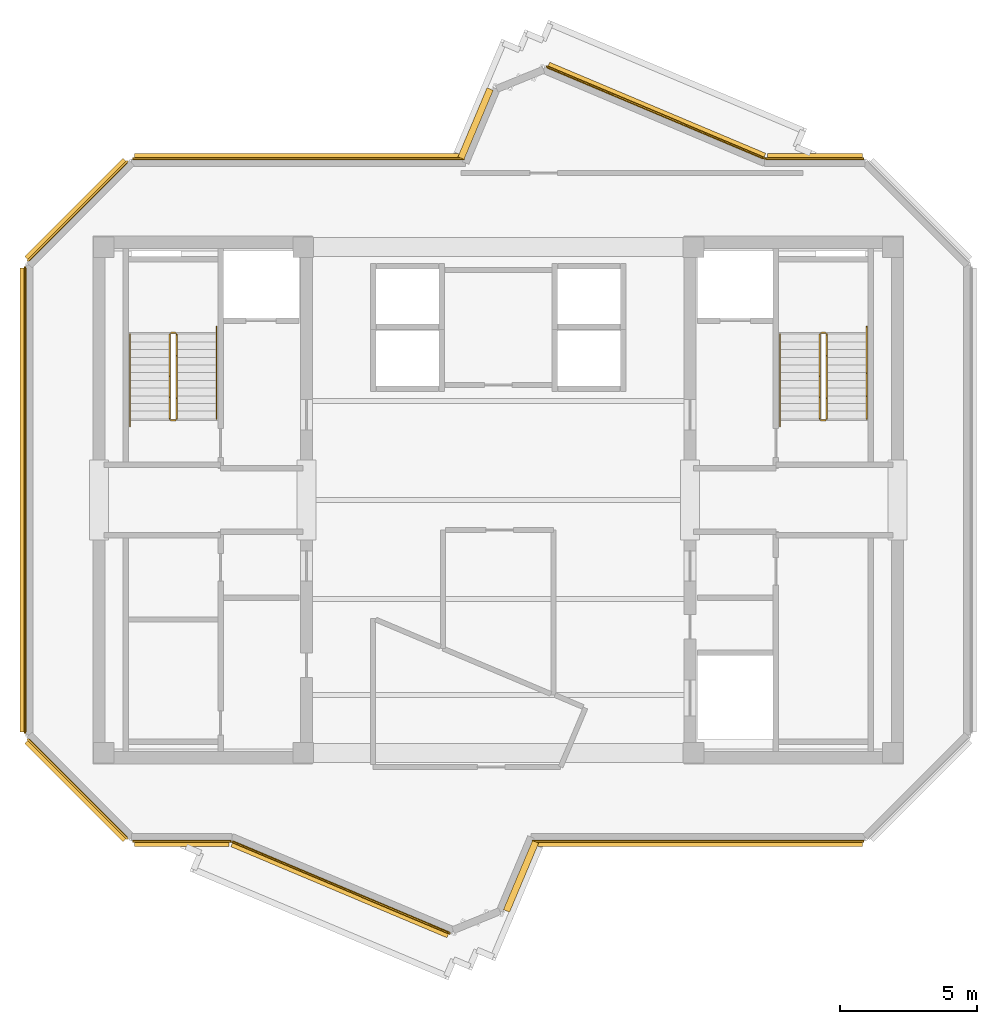
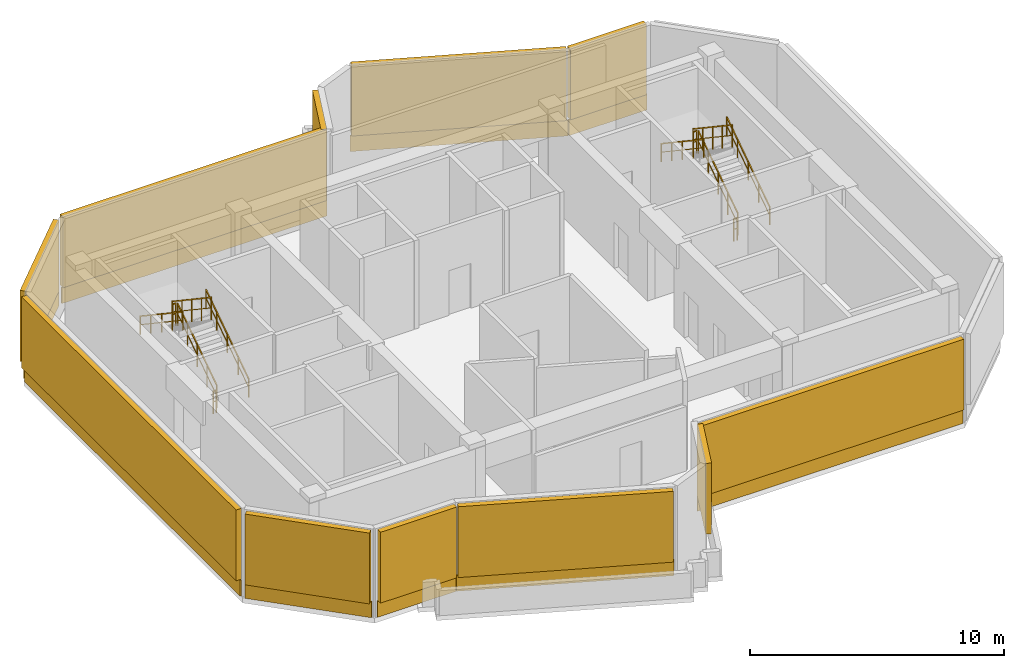
# One storey, part 5 of 6: 12 railings, 11 shading devices, 9 coverings.
"""IFC4 building model written with IfcOpenShell, lengths in metres."""

from ifc_helpers import new_model, si_unit, direction, frame, origin, origin_2d, place, context, subcontext, project, spatial, rectangle, extrude, source, transform, mapped, material, layer, layer_set, type_object, element, save


model = new_model("IFC4")

# Units and contexts
model_context = context("Model", 3, precision=1e-05, world=origin(), true_north=direction((0.0, 1.0)))
body_context = subcontext(model_context, "Body", "Model", "MODEL_VIEW")
ifc_project = project(units=[si_unit("LENGTHUNIT", "METRE"), si_unit("AREAUNIT", "SQUARE_METRE"), si_unit("VOLUMEUNIT", "CUBIC_METRE"), si_unit("PLANEANGLEUNIT", "RADIAN"), si_unit("MASSUNIT", "GRAM", prefix="KILO")], contexts=[model_context])

# Site, building, storey
site_placement = place(None, origin())
site = spatial("IfcSite", under=ifc_project, at=site_placement, CompositionType="ELEMENT")
building_placement = place(site_placement, origin())
building = spatial("IfcBuilding", under=site, at=building_placement, Name="Zahravan Cultural Tower", CompositionType="ELEMENT")
storey_placement = place(building_placement, frame((0.0, 0.0, 370.64990234375)))
storey = spatial("IfcBuildingStorey", under=building, at=storey_placement, Name="L90", CompositionType="ELEMENT", Elevation=370.64990234375)

# Railings
ifc_material_1 = material(Name="Steel ASTM A572 Grade 50", Category="steel")
railing_type_1 = type_object("IfcRailingType", Name="RL-STAIR-GRD1150", PredefinedType="BALUSTRADE", material=ifc_material_1)
railing_1_placement = place(storey_placement, frame((24.300048828125, 29.949951171875, 0.1875)))
element("IfcRailing", 1, at=railing_1_placement, inside=storey, type_object=railing_type_1, Name="L90 ST-W1 stair guard 1", PredefinedType="BALUSTRADE", context=body_context, shape_type="SweptSolid", body=[
    extrude(rectangle(XDim=0.05, YDim=0.05, at=origin_2d()), frame((0.0, 0.0, 1.0751953125), z_axis=(0.0, 0.830913701846, 0.55640131208), x_axis=(-1.0, 0.0, 0.0)), (0.0, 0.0, 1.0), 3.706787109375),
    extrude(rectangle(XDim=0.032, YDim=0.032, at=origin_2d()), frame((0.0, 0.0, 0.572021484375), z_axis=(0.0, 0.830913701846, 0.55640131208), x_axis=(-1.0, 0.0, 0.0)), (0.0, 0.0, 1.0), 3.706787109375),
    extrude(rectangle(XDim=0.04, YDim=0.04, at=origin_2d()), origin(), (0.0, 0.0, 1.0), 1.10009765625),
    extrude(rectangle(XDim=0.04, YDim=0.04, at=origin_2d()), frame((0.0, 0.77001953125, 0.515625)), (0.0, 0.0, 1.0), 1.10009765625),
    extrude(rectangle(XDim=0.04, YDim=0.04, at=origin_2d()), frame((0.0, 1.5400390625, 1.03125)), (0.0, 0.0, 1.0), 1.10009765625),
    extrude(rectangle(XDim=0.04, YDim=0.04, at=origin_2d()), frame((0.0, 2.31005859375, 1.546875)), (0.0, 0.0, 1.0), 1.10009765625),
    extrude(rectangle(XDim=0.04, YDim=0.04, at=origin_2d()), frame((0.0, 3.080078125, 2.0625)), (0.0, 0.0, 1.0), 1.10009765625),
])
railing_2_placement = place(storey_placement, frame((24.25, 33.080078125, 2.25)))
element("IfcRailing", 2, at=railing_2_placement, inside=storey, type_object=railing_type_1, Name="L90 ST-W1 stair guard 2", PredefinedType="BALUSTRADE", context=body_context, shape_type="SweptSolid", body=[
    extrude(rectangle(XDim=0.05, YDim=0.05, at=origin_2d()), frame((0.0, 0.0, 1.0751953125), z_axis=(-1.0, 0.0, 0.0), x_axis=(0.0, -1.0, 0.0)), (0.0, 0.0, 1.0), 0.14990234375),
    extrude(rectangle(XDim=0.032, YDim=0.032, at=origin_2d()), frame((0.0, 0.0, 0.572021484375), z_axis=(-1.0, 0.0, 0.0), x_axis=(0.0, -1.0, 0.0)), (0.0, 0.0, 1.0), 0.14990234375),
    extrude(rectangle(XDim=0.04, YDim=0.04, at=origin_2d()), origin(), (0.0, 0.0, 1.0), 1.10009765625),
    extrude(rectangle(XDim=0.04, YDim=0.04, at=origin_2d()), frame((-0.14990234375, 0.0, 0.0)), (0.0, 0.0, 1.0), 1.10009765625),
])
railing_3_placement = place(storey_placement, frame((24.050048828125, 33.030029296875, 2.4375)))
element("IfcRailing", 3, at=railing_3_placement, inside=storey, type_object=railing_type_1, Name="L90 ST-W1 stair guard 3", PredefinedType="BALUSTRADE", context=body_context, shape_type="SweptSolid", body=[
    extrude(rectangle(XDim=0.05, YDim=0.05, at=origin_2d()), frame((0.0, 0.0, 1.0751953125), z_axis=(0.0, -0.830913701846, 0.55640131208), x_axis=(1.0, 0.0, 0.0)), (0.0, 0.0, 1.0), 3.706787109375),
    extrude(rectangle(XDim=0.032, YDim=0.032, at=origin_2d()), frame((0.0, 0.0, 0.572021484375), z_axis=(0.0, -0.830913701846, 0.55640131208), x_axis=(1.0, 0.0, 0.0)), (0.0, 0.0, 1.0), 3.706787109375),
    extrude(rectangle(XDim=0.04, YDim=0.04, at=origin_2d()), origin(), (0.0, 0.0, 1.0), 1.10009765625),
    extrude(rectangle(XDim=0.04, YDim=0.04, at=origin_2d()), frame((0.0, -0.77001953125, 0.515625)), (0.0, 0.0, 1.0), 1.10009765625),
    extrude(rectangle(XDim=0.04, YDim=0.04, at=origin_2d()), frame((0.0, -1.5400390625, 1.03125)), (0.0, 0.0, 1.0), 1.10009765625),
    extrude(rectangle(XDim=0.04, YDim=0.04, at=origin_2d()), frame((0.0, -2.31005859375, 1.546875)), (0.0, 0.0, 1.0), 1.10009765625),
    extrude(rectangle(XDim=0.04, YDim=0.04, at=origin_2d()), frame((0.0, -3.080078125, 2.0625)), (0.0, 0.0, 1.0), 1.10009765625),
])
railing_4_placement = place(storey_placement, frame((24.25, 29.89990234375, 0.0)))
element("IfcRailing", 4, at=railing_4_placement, inside=storey, type_object=railing_type_1, Name="L90 ST-W1 stair guard 4", PredefinedType="BALUSTRADE", context=body_context, shape_type="SweptSolid", body=[
    extrude(rectangle(XDim=0.05, YDim=0.05, at=origin_2d()), frame((0.0, 0.0, 1.0751953125), z_axis=(-1.0, 0.0, 0.0), x_axis=(0.0, -1.0, 0.0)), (0.0, 0.0, 1.0), 0.14990234375),
    extrude(rectangle(XDim=0.032, YDim=0.032, at=origin_2d()), frame((0.0, 0.0, 0.572021484375), z_axis=(-1.0, 0.0, 0.0), x_axis=(0.0, -1.0, 0.0)), (0.0, 0.0, 1.0), 0.14990234375),
    extrude(rectangle(XDim=0.04, YDim=0.04, at=origin_2d()), origin(), (0.0, 0.0, 1.0), 1.10009765625),
    extrude(rectangle(XDim=0.04, YDim=0.04, at=origin_2d()), frame((-0.14990234375, 0.0, 0.0)), (0.0, 0.0, 1.0), 1.10009765625),
])
railing_5_placement = place(storey_placement, frame((47.949951171875, 29.949951171875, 0.1875)))
element("IfcRailing", 5, at=railing_5_placement, inside=storey, type_object=railing_type_1, Name="L90 ST-E1 stair guard 1", PredefinedType="BALUSTRADE", context=body_context, shape_type="SweptSolid", body=[
    extrude(rectangle(XDim=0.05, YDim=0.05, at=origin_2d()), frame((0.0, 0.0, 1.0751953125), z_axis=(0.0, 0.830913701846, 0.55640131208), x_axis=(-1.0, 0.0, 0.0)), (0.0, 0.0, 1.0), 3.706787109375),
    extrude(rectangle(XDim=0.032, YDim=0.032, at=origin_2d()), frame((0.0, 0.0, 0.572021484375), z_axis=(0.0, 0.830913701846, 0.55640131208), x_axis=(-1.0, 0.0, 0.0)), (0.0, 0.0, 1.0), 3.706787109375),
    extrude(rectangle(XDim=0.04, YDim=0.04, at=origin_2d()), origin(), (0.0, 0.0, 1.0), 1.10009765625),
    extrude(rectangle(XDim=0.04, YDim=0.04, at=origin_2d()), frame((0.0, 0.77001953125, 0.515625)), (0.0, 0.0, 1.0), 1.10009765625),
    extrude(rectangle(XDim=0.04, YDim=0.04, at=origin_2d()), frame((0.0, 1.5400390625, 1.03125)), (0.0, 0.0, 1.0), 1.10009765625),
    extrude(rectangle(XDim=0.04, YDim=0.04, at=origin_2d()), frame((0.0, 2.31005859375, 1.546875)), (0.0, 0.0, 1.0), 1.10009765625),
    extrude(rectangle(XDim=0.04, YDim=0.04, at=origin_2d()), frame((0.0, 3.080078125, 2.0625)), (0.0, 0.0, 1.0), 1.10009765625),
])
railing_6_placement = place(storey_placement, frame((47.89990234375, 33.080078125, 2.25)))
element("IfcRailing", 6, at=railing_6_placement, inside=storey, type_object=railing_type_1, Name="L90 ST-E1 stair guard 2", PredefinedType="BALUSTRADE", context=body_context, shape_type="SweptSolid", body=[
    extrude(rectangle(XDim=0.05, YDim=0.05, at=origin_2d()), frame((0.0, 0.0, 1.0751953125), z_axis=(-1.0, 0.0, 0.0), x_axis=(0.0, -1.0, 0.0)), (0.0, 0.0, 1.0), 0.14990234375),
    extrude(rectangle(XDim=0.032, YDim=0.032, at=origin_2d()), frame((0.0, 0.0, 0.572021484375), z_axis=(-1.0, 0.0, 0.0), x_axis=(0.0, -1.0, 0.0)), (0.0, 0.0, 1.0), 0.14990234375),
    extrude(rectangle(XDim=0.04, YDim=0.04, at=origin_2d()), origin(), (0.0, 0.0, 1.0), 1.10009765625),
    extrude(rectangle(XDim=0.04, YDim=0.04, at=origin_2d()), frame((-0.14990234375, 0.0, 0.0)), (0.0, 0.0, 1.0), 1.10009765625),
])
railing_7_placement = place(storey_placement, frame((47.699951171875, 33.030029296875, 2.4375)))
element("IfcRailing", 7, at=railing_7_placement, inside=storey, type_object=railing_type_1, Name="L90 ST-E1 stair guard 3", PredefinedType="BALUSTRADE", context=body_context, shape_type="SweptSolid", body=[
    extrude(rectangle(XDim=0.05, YDim=0.05, at=origin_2d()), frame((0.0, 0.0, 1.0751953125), z_axis=(0.0, -0.830913701846, 0.55640131208), x_axis=(1.0, 0.0, 0.0)), (0.0, 0.0, 1.0), 3.706787109375),
    extrude(rectangle(XDim=0.032, YDim=0.032, at=origin_2d()), frame((0.0, 0.0, 0.572021484375), z_axis=(0.0, -0.830913701846, 0.55640131208), x_axis=(1.0, 0.0, 0.0)), (0.0, 0.0, 1.0), 3.706787109375),
    extrude(rectangle(XDim=0.04, YDim=0.04, at=origin_2d()), origin(), (0.0, 0.0, 1.0), 1.10009765625),
    extrude(rectangle(XDim=0.04, YDim=0.04, at=origin_2d()), frame((0.0, -0.77001953125, 0.515625)), (0.0, 0.0, 1.0), 1.10009765625),
    extrude(rectangle(XDim=0.04, YDim=0.04, at=origin_2d()), frame((0.0, -1.5400390625, 1.03125)), (0.0, 0.0, 1.0), 1.10009765625),
    extrude(rectangle(XDim=0.04, YDim=0.04, at=origin_2d()), frame((0.0, -2.31005859375, 1.546875)), (0.0, 0.0, 1.0), 1.10009765625),
    extrude(rectangle(XDim=0.04, YDim=0.04, at=origin_2d()), frame((0.0, -3.080078125, 2.0625)), (0.0, 0.0, 1.0), 1.10009765625),
])
railing_8_placement = place(storey_placement, frame((47.89990234375, 29.89990234375, 0.0)))
element("IfcRailing", 8, at=railing_8_placement, inside=storey, type_object=railing_type_1, Name="L90 ST-E1 stair guard 4", PredefinedType="BALUSTRADE", context=body_context, shape_type="SweptSolid", body=[
    extrude(rectangle(XDim=0.05, YDim=0.05, at=origin_2d()), frame((0.0, 0.0, 1.0751953125), z_axis=(-1.0, 0.0, 0.0), x_axis=(0.0, -1.0, 0.0)), (0.0, 0.0, 1.0), 0.14990234375),
    extrude(rectangle(XDim=0.032, YDim=0.032, at=origin_2d()), frame((0.0, 0.0, 0.572021484375), z_axis=(-1.0, 0.0, 0.0), x_axis=(0.0, -1.0, 0.0)), (0.0, 0.0, 1.0), 0.14990234375),
    extrude(rectangle(XDim=0.04, YDim=0.04, at=origin_2d()), origin(), (0.0, 0.0, 1.0), 1.10009765625),
    extrude(rectangle(XDim=0.04, YDim=0.04, at=origin_2d()), frame((-0.14990234375, 0.0, 0.0)), (0.0, 0.0, 1.0), 1.10009765625),
])
railing_type_2 = type_object("IfcRailingType", Name="RL-STAIR-HR900", PredefinedType="HANDRAIL", material=ifc_material_1)
railing_9_placement = place(storey_placement, frame((25.75, 29.949951171875, 0.1875)))
element("IfcRailing", 9, at=railing_9_placement, inside=storey, type_object=railing_type_2, Name="L90 ST-W1 stair handrail 1", PredefinedType="HANDRAIL", context=body_context, shape_type="SweptSolid", body=[
    extrude(rectangle(XDim=0.05, YDim=0.05, at=origin_2d()), frame((0.0, 0.0, 0.875), z_axis=(0.0, 0.830915400975, 0.556398774641), x_axis=(-1.0, 0.0, 0.0)), (0.0, 0.0, 1.0), 4.0439453125),
    extrude(rectangle(XDim=0.032, YDim=0.032, at=origin_2d()), frame((0.0, 0.0, 0.468017578125), z_axis=(0.0, 0.830915400975, 0.556398774641), x_axis=(-1.0, 0.0, 0.0)), (0.0, 0.0, 1.0), 4.0439453125),
    extrude(rectangle(XDim=0.04, YDim=0.04, at=origin_2d()), origin(), (0.0, 0.0, 1.0), 0.89990234375),
    extrude(rectangle(XDim=0.04, YDim=0.04, at=origin_2d()), frame((0.0, 0.840087890625, 0.5625)), (0.0, 0.0, 1.0), 0.89990234375),
    extrude(rectangle(XDim=0.04, YDim=0.04, at=origin_2d()), frame((0.0, 1.68017578125, 1.125)), (0.0, 0.0, 1.0), 0.89990234375),
    extrude(rectangle(XDim=0.04, YDim=0.04, at=origin_2d()), frame((0.0, 2.52001953125, 1.6875)), (0.0, 0.0, 1.0), 0.89990234375),
    extrude(rectangle(XDim=0.04, YDim=0.04, at=origin_2d()), frame((0.0, 3.360107421875, 2.25)), (0.0, 0.0, 1.0), 0.89990234375),
])
railing_10_placement = place(storey_placement, frame((22.60009765625, 33.030029296875, 2.4375)))
element("IfcRailing", 10, at=railing_10_placement, inside=storey, type_object=railing_type_2, Name="L90 ST-W1 stair handrail 2", PredefinedType="HANDRAIL", context=body_context, shape_type="SweptSolid", body=[
    extrude(rectangle(XDim=0.05, YDim=0.05, at=origin_2d()), frame((0.0, 0.0, 0.875), z_axis=(0.0, -0.830915400975, 0.556398774641), x_axis=(1.0, 0.0, 0.0)), (0.0, 0.0, 1.0), 4.0439453125),
    extrude(rectangle(XDim=0.032, YDim=0.032, at=origin_2d()), frame((0.0, 0.0, 0.468017578125), z_axis=(0.0, -0.830915400975, 0.556398774641), x_axis=(1.0, 0.0, 0.0)), (0.0, 0.0, 1.0), 4.0439453125),
    extrude(rectangle(XDim=0.04, YDim=0.04, at=origin_2d()), origin(), (0.0, 0.0, 1.0), 0.89990234375),
    extrude(rectangle(XDim=0.04, YDim=0.04, at=origin_2d()), frame((0.0, -0.840087890625, 0.5625)), (0.0, 0.0, 1.0), 0.89990234375),
    extrude(rectangle(XDim=0.04, YDim=0.04, at=origin_2d()), frame((0.0, -1.68017578125, 1.125)), (0.0, 0.0, 1.0), 0.89990234375),
    extrude(rectangle(XDim=0.04, YDim=0.04, at=origin_2d()), frame((0.0, -2.52001953125, 1.6875)), (0.0, 0.0, 1.0), 0.89990234375),
    extrude(rectangle(XDim=0.04, YDim=0.04, at=origin_2d()), frame((0.0, -3.360107421875, 2.25)), (0.0, 0.0, 1.0), 0.89990234375),
])
railing_11_placement = place(storey_placement, frame((49.39990234375, 29.949951171875, 0.1875)))
element("IfcRailing", 11, at=railing_11_placement, inside=storey, type_object=railing_type_2, Name="L90 ST-E1 stair handrail 1", PredefinedType="HANDRAIL", context=body_context, shape_type="SweptSolid", body=[
    extrude(rectangle(XDim=0.05, YDim=0.05, at=origin_2d()), frame((0.0, 0.0, 0.875), z_axis=(0.0, 0.830915400975, 0.556398774641), x_axis=(-1.0, 0.0, 0.0)), (0.0, 0.0, 1.0), 4.0439453125),
    extrude(rectangle(XDim=0.032, YDim=0.032, at=origin_2d()), frame((0.0, 0.0, 0.468017578125), z_axis=(0.0, 0.830915400975, 0.556398774641), x_axis=(-1.0, 0.0, 0.0)), (0.0, 0.0, 1.0), 4.0439453125),
    extrude(rectangle(XDim=0.04, YDim=0.04, at=origin_2d()), origin(), (0.0, 0.0, 1.0), 0.89990234375),
    extrude(rectangle(XDim=0.04, YDim=0.04, at=origin_2d()), frame((0.0, 0.840087890625, 0.5625)), (0.0, 0.0, 1.0), 0.89990234375),
    extrude(rectangle(XDim=0.04, YDim=0.04, at=origin_2d()), frame((0.0, 1.68017578125, 1.125)), (0.0, 0.0, 1.0), 0.89990234375),
    extrude(rectangle(XDim=0.04, YDim=0.04, at=origin_2d()), frame((0.0, 2.52001953125, 1.6875)), (0.0, 0.0, 1.0), 0.89990234375),
    extrude(rectangle(XDim=0.04, YDim=0.04, at=origin_2d()), frame((0.0, 3.360107421875, 2.25)), (0.0, 0.0, 1.0), 0.89990234375),
])
railing_12_placement = place(storey_placement, frame((46.25, 33.030029296875, 2.4375)))
element("IfcRailing", 12, at=railing_12_placement, inside=storey, type_object=railing_type_2, Name="L90 ST-E1 stair handrail 2", PredefinedType="HANDRAIL", context=body_context, shape_type="SweptSolid", body=[
    extrude(rectangle(XDim=0.05, YDim=0.05, at=origin_2d()), frame((0.0, 0.0, 0.875), z_axis=(0.0, -0.830915400975, 0.556398774641), x_axis=(1.0, 0.0, 0.0)), (0.0, 0.0, 1.0), 4.0439453125),
    extrude(rectangle(XDim=0.032, YDim=0.032, at=origin_2d()), frame((0.0, 0.0, 0.468017578125), z_axis=(0.0, -0.830915400975, 0.556398774641), x_axis=(1.0, 0.0, 0.0)), (0.0, 0.0, 1.0), 4.0439453125),
    extrude(rectangle(XDim=0.04, YDim=0.04, at=origin_2d()), origin(), (0.0, 0.0, 1.0), 0.89990234375),
    extrude(rectangle(XDim=0.04, YDim=0.04, at=origin_2d()), frame((0.0, -0.840087890625, 0.5625)), (0.0, 0.0, 1.0), 0.89990234375),
    extrude(rectangle(XDim=0.04, YDim=0.04, at=origin_2d()), frame((0.0, -1.68017578125, 1.125)), (0.0, 0.0, 1.0), 0.89990234375),
    extrude(rectangle(XDim=0.04, YDim=0.04, at=origin_2d()), frame((0.0, -2.52001953125, 1.6875)), (0.0, 0.0, 1.0), 0.89990234375),
    extrude(rectangle(XDim=0.04, YDim=0.04, at=origin_2d()), frame((0.0, -3.360107421875, 2.25)), (0.0, 0.0, 1.0), 0.89990234375),
])

# Coverings
ifc_material_2 = material(Name="Terracotta ceramic cladding", Category="masonry")
ifc_layer = layer(ifc_material_2, 0.06005859375)
ifc_layer_set = layer_set([ifc_layer], Name="Terracotta ceramic cladding")
covering_type = type_object("IfcCoveringType", Name="COV-CLAD-TC60", PredefinedType="CLADDING", material=ifc_layer_set)
shared_shape_1 = source(origin(), body_context, "Body", "SweptSolid", [
    extrude(rectangle(XDim=5.157958984375, YDim=0.06005859375, at=origin_2d()), origin(), (0.0, 0.0, 1.0), 0.760009765625),
])
for number, where, z_axis, x_axis, name in (
    (13, (20.689453125, 16.489501953125, 0.02001953125), (0.0, 0.0, 1.0), (-0.707106781187, 0.707106781187, 0.0), "L90 Terracotta Spandrel Cladding 13"),
    (14, (20.689453125, 37.510498046875, 0.02001953125), (0.0, 0.0, 1.0), (0.707106781187, 0.707106781187, 0.0), "L90 Terracotta Spandrel Cladding 15"),
):
    element("IfcCovering", number, at=place(storey_placement, frame(where, z_axis=z_axis, x_axis=x_axis)), inside=storey, type_object=covering_type, Name=name, PredefinedType="CLADDING", context=body_context, shape_type="MappedRepresentation", body=[
        mapped(shared_shape_1, transform((0.0, 0.0, 0.0), x_axis=(1.0, 0.0, 0.0), y_axis=(0.0, 1.0, 0.0), z_axis=(0.0, 0.0, 1.0), scale=1.0)),
    ])

# Shading devices
ifc_material_3 = material(Name="Architectural terracotta fin", Category="masonry")
shading_device_type = type_object("IfcShadingDeviceType", Name="SHD-LOUVRE-BAND", PredefinedType="JALOUSIE", material=ifc_material_3)
shared_shape_2 = source(origin(), body_context, "Body", "SweptSolid", [
    extrude(rectangle(XDim=5.05810546875, YDim=0.239990234375, at=origin_2d()), origin(), (0.0, 0.0, 1.0), 3.39990234375),
])
for number, where, z_axis, x_axis, name in (
    (15, (20.643310546875, 16.443359375, 0.780029296875), (0.0, 0.0, 1.0), (-0.707106781187, 0.707106781187, 0.0), "L90 Terracotta Acoustic Louvre 11"),
    (16, (20.643310546875, 37.556640625, 0.780029296875), (0.0, 0.0, 1.0), (0.707106781187, 0.707106781187, 0.0), "L90 Terracotta Acoustic Louvre 13"),
):
    element("IfcShadingDevice", number, at=place(storey_placement, frame(where, z_axis=z_axis, x_axis=x_axis)), inside=storey, type_object=shading_device_type, Name=name, PredefinedType="JALOUSIE", context=body_context, shape_type="MappedRepresentation", body=[
        mapped(shared_shape_2, transform((0.0, 0.0, 0.0), x_axis=(1.0, 0.0, 0.0), y_axis=(0.0, 1.0, 0.0), z_axis=(0.0, 0.0, 1.0), scale=1.0)),
    ])
shared_shape_3 = source(origin(), body_context, "Body", "SweptSolid", [
    extrude(rectangle(XDim=2.725341796875, YDim=0.239990234375, at=origin_2d()), origin(), (0.0, 0.0, 1.0), 3.39990234375),
])
for number, where, z_axis, x_axis, name in (
    (17, (35.172607421875, 40.693359375, 0.780029296875), (0.0, 0.0, 1.0), (0.388335999737, 0.921517851866, 0.0), "L90 Terracotta Acoustic Louvre 01"),
    (18, (36.827392578125, 13.306640625, 0.780029296875), (0.0, 0.0, 1.0), (-0.388335999737, -0.921517851866, 0.0), "L90 Terracotta Acoustic Louvre 08"),
):
    element("IfcShadingDevice", number, at=place(storey_placement, frame(where, z_axis=z_axis, x_axis=x_axis)), inside=storey, type_object=shading_device_type, Name=name, PredefinedType="JALOUSIE", context=body_context, shape_type="MappedRepresentation", body=[
        mapped(shared_shape_3, transform((0.0, 0.0, 0.0), x_axis=(1.0, 0.0, 0.0), y_axis=(0.0, 1.0, 0.0), z_axis=(0.0, 0.0, 1.0), scale=1.0)),
    ])

# Coverings
shared_shape_4 = source(origin(), body_context, "Body", "SweptSolid", [
    extrude(rectangle(XDim=8.627197265625, YDim=0.06005859375, at=origin_2d()), origin(), (0.0, 0.0, 1.0), 0.760009765625),
])
for number, where, z_axis, x_axis, name in (
    (19, (41.727294921875, 41.097412109375, 0.02001953125), (0.0, 0.0, 1.0), (0.921524629468, -0.388319916157, 0.0), "L90 Terracotta Spandrel Cladding 03"),
    (20, (30.272705078125, 12.902587890625, 0.02001953125), (0.0, 0.0, 1.0), (-0.921524629468, 0.388319916157, 0.0), "L90 Terracotta Spandrel Cladding 11"),
):
    element("IfcCovering", number, at=place(storey_placement, frame(where, z_axis=z_axis, x_axis=x_axis)), inside=storey, type_object=covering_type, Name=name, PredefinedType="CLADDING", context=body_context, shape_type="MappedRepresentation", body=[
        mapped(shared_shape_4, transform((0.0, 0.0, 0.0), x_axis=(1.0, 0.0, 0.0), y_axis=(0.0, 1.0, 0.0), z_axis=(0.0, 0.0, 1.0), scale=1.0)),
    ])

# Shading devices
shared_shape_5 = source(origin(), body_context, "Body", "SweptSolid", [
    extrude(rectangle(XDim=8.527099609375, YDim=0.239990234375, at=origin_2d()), origin(), (0.0, 0.0, 1.0), 3.39990234375),
])
for number, where, z_axis, x_axis, name in (
    (21, (41.75244140625, 41.1572265625, 0.780029296875), (0.0, 0.0, 1.0), (0.921524629468, -0.388319916157, 0.0), "L90 Terracotta Acoustic Louvre 02"),
    (22, (30.24755859375, 12.8427734375, 0.780029296875), (0.0, 0.0, 1.0), (-0.921524629468, 0.388319916157, 0.0), "L90 Terracotta Acoustic Louvre 09"),
):
    element("IfcShadingDevice", number, at=place(storey_placement, frame(where, z_axis=z_axis, x_axis=x_axis)), inside=storey, type_object=shading_device_type, Name=name, PredefinedType="JALOUSIE", context=body_context, shape_type="MappedRepresentation", body=[
        mapped(shared_shape_5, transform((0.0, 0.0, 0.0), x_axis=(1.0, 0.0, 0.0), y_axis=(0.0, 1.0, 0.0), z_axis=(0.0, 0.0, 1.0), scale=1.0)),
    ])

# Coverings
shared_shape_6 = source(origin(), body_context, "Body", "SweptSolid", [
    extrude(rectangle(XDim=3.5537109375, YDim=0.06005859375, at=origin_2d()), origin(), (0.0, 0.0, 1.0), 0.760009765625),
])
for number, where, z_axis, x_axis, name in (
    (23, (47.51513671875, 39.4150390625, 0.02001953125), (0.0, 0.0, 1.0), (1.0, 0.0, 0.0), "L90 Terracotta Spandrel Cladding 04"),
    (24, (24.48486328125, 14.5849609375, 0.02001953125), (0.0, 0.0, 1.0), (-1.0, 0.0, 0.0), "L90 Terracotta Spandrel Cladding 12"),
):
    element("IfcCovering", number, at=place(storey_placement, frame(where, z_axis=z_axis, x_axis=x_axis)), inside=storey, type_object=covering_type, Name=name, PredefinedType="CLADDING", context=body_context, shape_type="MappedRepresentation", body=[
        mapped(shared_shape_6, transform((0.0, 0.0, 0.0), x_axis=(1.0, 0.0, 0.0), y_axis=(0.0, 1.0, 0.0), z_axis=(0.0, 0.0, 1.0), scale=1.0)),
    ])

# Shading devices
shared_shape_7 = source(origin(), body_context, "Body", "SweptSolid", [
    extrude(rectangle(XDim=3.453857421875, YDim=0.239990234375, at=origin_2d()), origin(), (0.0, 0.0, 1.0), 3.39990234375),
])
for number, where, z_axis, x_axis, name in (
    (25, (47.51513671875, 39.47998046875, 0.780029296875), (0.0, 0.0, 1.0), (1.0, 0.0, 0.0), "L90 Terracotta Acoustic Louvre 03"),
    (26, (24.48486328125, 14.52001953125, 0.780029296875), (0.0, 0.0, 1.0), (-1.0, 0.0, 0.0), "L90 Terracotta Acoustic Louvre 10"),
):
    element("IfcShadingDevice", number, at=place(storey_placement, frame(where, z_axis=z_axis, x_axis=x_axis)), inside=storey, type_object=shading_device_type, Name=name, PredefinedType="JALOUSIE", context=body_context, shape_type="MappedRepresentation", body=[
        mapped(shared_shape_7, transform((0.0, 0.0, 0.0), x_axis=(1.0, 0.0, 0.0), y_axis=(0.0, 1.0, 0.0), z_axis=(0.0, 0.0, 1.0), scale=1.0)),
    ])

# Covering
shared_shape_8 = source(origin(), body_context, "Body", "SweptSolid", [
    extrude(rectangle(XDim=16.98388671875, YDim=0.06005859375, at=origin_2d()), origin(), (0.0, 0.0, 1.0), 0.760009765625),
])
covering_placement = place(storey_placement, frame((18.784912109375, 27.0, 0.02001953125), z_axis=(0.0, 0.0, 1.0), x_axis=(0.0, 1.0, 0.0)))
element("IfcCovering", 27, at=covering_placement, inside=storey, type_object=covering_type, Name="L90 Terracotta Spandrel Cladding 14", PredefinedType="CLADDING", context=body_context, shape_type="MappedRepresentation", body=[
    mapped(shared_shape_8, transform((0.0, 0.0, 0.0), x_axis=(1.0, 0.0, 0.0), y_axis=(0.0, 1.0, 0.0), z_axis=(0.0, 0.0, 1.0), scale=1.0)),
])

# Shading device
shared_shape_9 = source(origin(), body_context, "Body", "SweptSolid", [
    extrude(rectangle(XDim=16.884033203125, YDim=0.239990234375, at=origin_2d()), origin(), (0.0, 0.0, 1.0), 3.39990234375),
])
shading_device_placement = place(storey_placement, frame((18.719970703125, 27.0, 0.780029296875), z_axis=(0.0, 0.0, 1.0), x_axis=(0.0, 1.0, 0.0)))
element("IfcShadingDevice", 28, at=shading_device_placement, inside=storey, type_object=shading_device_type, Name="L90 Terracotta Acoustic Louvre 12", PredefinedType="JALOUSIE", context=body_context, shape_type="MappedRepresentation", body=[
    mapped(shared_shape_9, transform((0.0, 0.0, 0.0), x_axis=(1.0, 0.0, 0.0), y_axis=(0.0, 1.0, 0.0), z_axis=(0.0, 0.0, 1.0), scale=1.0)),
])

# Coverings
shared_shape_10 = source(origin(), body_context, "Body", "SweptSolid", [
    extrude(rectangle(XDim=12.04931640625, YDim=0.06005859375, at=origin_2d()), origin(), (0.0, 0.0, 1.0), 0.760009765625),
])
for number, where, z_axis, x_axis, name in (
    (29, (43.267333984375, 14.5849609375, 0.02001953125), (0.0, 0.0, 1.0), (-1.0, 0.0, 0.0), "L90 Terracotta Spandrel Cladding 08"),
    (30, (28.732666015625, 39.4150390625, 0.02001953125), (0.0, 0.0, 1.0), (1.0, 0.0, 0.0), "L90 Terracotta Spandrel Cladding 16"),
):
    element("IfcCovering", number, at=place(storey_placement, frame(where, z_axis=z_axis, x_axis=x_axis)), inside=storey, type_object=covering_type, Name=name, PredefinedType="CLADDING", context=body_context, shape_type="MappedRepresentation", body=[
        mapped(shared_shape_10, transform((0.0, 0.0, 0.0), x_axis=(1.0, 0.0, 0.0), y_axis=(0.0, 1.0, 0.0), z_axis=(0.0, 0.0, 1.0), scale=1.0)),
    ])

# Shading devices
shared_shape_11 = source(origin(), body_context, "Body", "SweptSolid", [
    extrude(rectangle(XDim=11.94921875, YDim=0.239990234375, at=origin_2d()), origin(), (0.0, 0.0, 1.0), 3.39990234375),
])
for number, where, z_axis, x_axis, name in (
    (31, (43.267333984375, 14.52001953125, 0.780029296875), (0.0, 0.0, 1.0), (-1.0, 0.0, 0.0), "L90 Terracotta Acoustic Louvre 07"),
    (32, (28.732666015625, 39.47998046875, 0.780029296875), (0.0, 0.0, 1.0), (1.0, 0.0, 0.0), "L90 Terracotta Acoustic Louvre 14"),
):
    element("IfcShadingDevice", number, at=place(storey_placement, frame(where, z_axis=z_axis, x_axis=x_axis)), inside=storey, type_object=shading_device_type, Name=name, PredefinedType="JALOUSIE", context=body_context, shape_type="MappedRepresentation", body=[
        mapped(shared_shape_11, transform((0.0, 0.0, 0.0), x_axis=(1.0, 0.0, 0.0), y_axis=(0.0, 1.0, 0.0), z_axis=(0.0, 0.0, 1.0), scale=1.0)),
    ])

save(model, "model.ifc")
